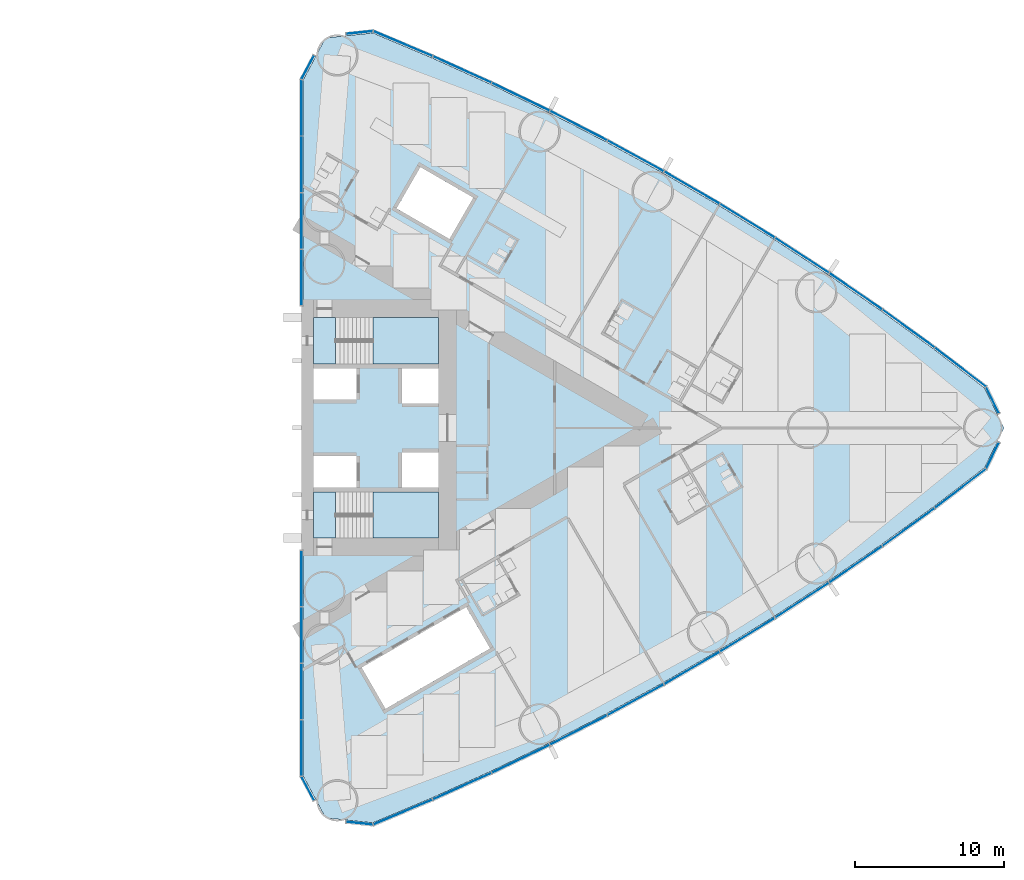
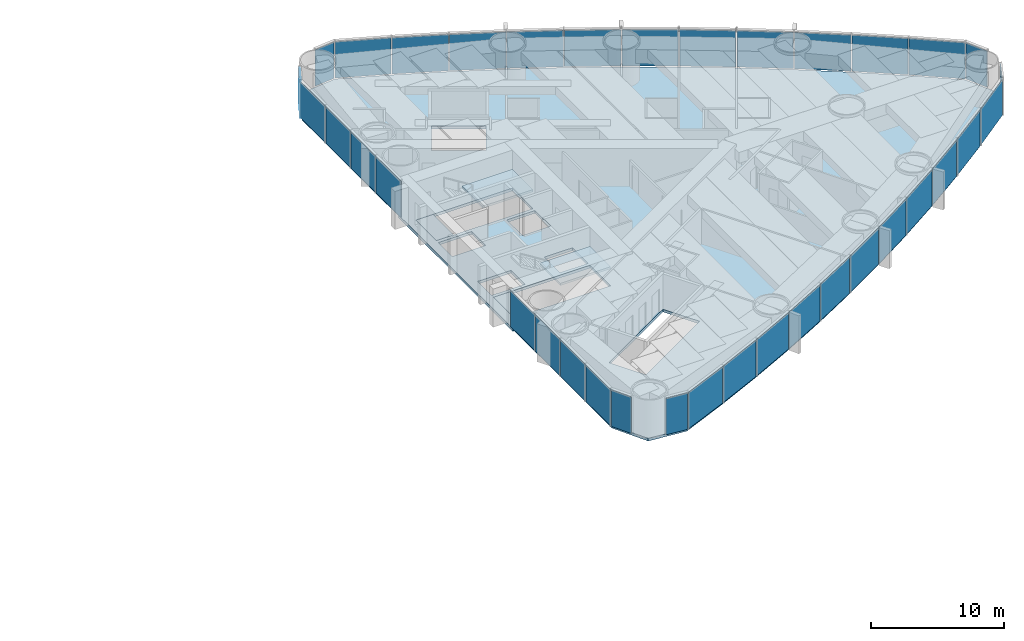
# One storey, part 10 of 19: 36 plates, 5 slabs, 6 elements without a shape of their own.
"""IFC4 building model written with IfcOpenShell, lengths in metres."""

from ifc_helpers import new_model, si_unit, direction, frame, origin, origin_2d, place, context, subcontext, project, spatial, polyline, rectangle, outline, extrude, material, layer, layer_set, type_object, element, aggregate, save


model = new_model("IFC4")

# Units and contexts
model_context = context("Model", 3, precision=1e-05, world=origin(), true_north=direction((0.0, 1.0)))
body_context = subcontext(model_context, "Body", "Model", "MODEL_VIEW")
ifc_project = project(units=[si_unit("LENGTHUNIT", "METRE"), si_unit("AREAUNIT", "SQUARE_METRE"), si_unit("VOLUMEUNIT", "CUBIC_METRE"), si_unit("PLANEANGLEUNIT", "RADIAN"), si_unit("MASSUNIT", "GRAM", prefix="KILO")], contexts=[model_context])

# Site, building, storey
site_placement = place(None, origin())
site = spatial("IfcSite", under=ifc_project, at=site_placement, CompositionType="ELEMENT")
building_placement = place(site_placement, origin())
building = spatial("IfcBuilding", under=site, at=building_placement, Name="Lancet Gate Hotel", CompositionType="ELEMENT")
storey_placement = place(building_placement, frame((0.0, 0.0, 21.5)))
storey = spatial("IfcBuildingStorey", under=building, at=storey_placement, Name="L04", CompositionType="ELEMENT", Elevation=21.5)

# Slab
ifc_material_1 = material(Name="Concrete C50/60", Category="concrete")
ifc_layer_1 = layer(ifc_material_1, 0.25)
ifc_layer_set_1 = layer_set([ifc_layer_1], Name="Floor slab 250")
slab_type_1 = type_object("IfcSlabType", Name="Floor slab 250", PredefinedType="FLOOR", material=ifc_layer_set_1)
slab_1_placement = place(storey_placement, frame((0.0, 0.0, -0.25)))
element("IfcSlab", 1, at=slab_1_placement, inside=storey, type_object=slab_type_1, Name="T2 L04 floor slab", PredefinedType="FLOOR", context=body_context, shape_type="SweptSolid", body=[
    extrude(outline(polyline([(27.5, -8.60009765625), (27.6201171875, -8.60009765625), (27.6201171875, -23.35498046875), (29.12158203125, -26.175537109375), (32.299072265625, -26.5048828125), (36.26708984375, -24.833740234375), (40.2177734375, -23.050048828125), (44.121826171875, -21.16650390625), (47.9765625, -19.18408203125), (51.77978515625, -17.104248046875), (55.528564453125, -14.92822265625), (59.220947265625, -12.657470703125), (62.854248046875, -10.29345703125), (66.42626953125, -7.837890625), (69.934814453125, -5.292236328125), (73.355712890625, -2.67431640625), (74.65576171875, 0.0), (73.355712890625, 2.67431640625), (69.934814453125, 5.292236328125), (66.42626953125, 7.837890625), (62.854248046875, 10.29345703125), (59.220947265625, 12.657470703125), (55.528564453125, 14.92822265625), (51.77978515625, 17.104248046875), (47.9765625, 19.18408203125), (44.121826171875, 21.16650390625), (40.2177734375, 23.050048828125), (36.26708984375, 24.833740234375), (32.299072265625, 26.5048828125), (29.12158203125, 26.175537109375), (27.6201171875, 23.35498046875), (27.6201171875, 8.60009765625), (27.5, 8.60009765625), (27.5, 8.199951171875), (27.5, -8.199951171875), (27.5, -8.60009765625)]), holes=[polyline([(36.699951171875, -7.39990234375), (36.699951171875, -4.300048828125), (28.300048828125, -4.300048828125), (28.300048828125, -7.39990234375), (36.699951171875, -7.39990234375)]), polyline([(28.300048828125, -4.0), (31.199951171875, -4.0), (31.199951171875, -1.89990234375), (28.300048828125, -1.89990234375), (28.300048828125, -4.0)]), polyline([(34.25, -4.0), (36.699951171875, -4.0), (36.699951171875, -1.64990234375), (34.25, -1.64990234375), (34.25, -4.0)]), polyline([(36.699951171875, 1.64990234375), (36.699951171875, 4.0), (34.25, 4.0), (34.25, 1.64990234375), (36.699951171875, 1.64990234375)]), polyline([(28.300048828125, 1.89990234375), (31.199951171875, 1.89990234375), (31.199951171875, 4.0), (28.300048828125, 4.0), (28.300048828125, 1.89990234375)]), polyline([(28.300048828125, 4.300048828125), (36.699951171875, 4.300048828125), (36.699951171875, 7.39990234375), (28.300048828125, 7.39990234375), (28.300048828125, 4.300048828125)]), polyline([(31.549072265625, -16.0810546875), (33.14892578125, -18.85205078125), (40.1640625, -14.802001953125), (38.56396484375, -12.031005859375), (31.549072265625, -16.0810546875)]), polyline([(33.887939453125, 14.73095703125), (37.43798828125, 12.680908203125), (39.0380859375, 15.451904296875), (35.488037109375, 17.501953125), (33.887939453125, 14.73095703125)])]), origin(), (0.0, 0.0, 1.0), 0.25),
])

# Stair, slabs
ifc_material_2 = material(Name="Exit stair 20 risers 1500")
stair_type = type_object("IfcStairType", Name="Exit stair 20 risers 1500", PredefinedType="HALF_TURN_STAIR", material=ifc_material_2)
stair_1_placement = place(storey_placement, origin())
stair_1 = element("IfcStair", 2, at=stair_1_placement, inside=storey, type_object=stair_type, Name="T2 stair 1 L04", PredefinedType="HALF_TURN_STAIR")
ifc_material_3 = material(Name="Concrete C40/50", Category="concrete")
ifc_layer_2 = layer(ifc_material_3, 0.199951171875)
ifc_layer_set_2 = layer_set([ifc_layer_2], Name="Stair landing 200")
slab_type_2 = type_object("IfcSlabType", Name="Stair landing 200", PredefinedType="LANDING", material=ifc_layer_set_2)
slab_2_placement = place(storey_placement, frame((0.0, 0.0, -0.199951171875)))
slab_2 = element("IfcSlab", 3, at=slab_2_placement, type_object=slab_type_2, Name="ST3 landing 1", PredefinedType="LANDING", context=body_context, shape_type="SweptSolid", body=[
    extrude(outline(polyline([(28.300048828125, -7.39990234375), (29.800048828125, -7.39990234375), (29.800048828125, -4.300048828125), (28.300048828125, -4.300048828125), (28.300048828125, -7.39990234375)])), origin(), (0.0, 0.0, 1.0), 0.199951171875),
])
slab_3_placement = place(storey_placement, frame((0.0, 0.0, 1.550048828125)))
slab_3 = element("IfcSlab", 4, at=slab_3_placement, type_object=slab_type_2, Name="ST3 landing 2", PredefinedType="LANDING", context=body_context, shape_type="SweptSolid", body=[
    extrude(outline(polyline([(32.320068359375, -7.39990234375), (36.699951171875, -7.39990234375), (36.699951171875, -4.300048828125), (32.320068359375, -4.300048828125), (32.320068359375, -7.39990234375)])), origin(), (0.0, 0.0, 1.0), 0.199951171875),
])
aggregate(stair_1, [slab_2, slab_3])

stair_2_placement = place(storey_placement, origin())
stair_2 = element("IfcStair", 5, at=stair_2_placement, inside=storey, type_object=stair_type, Name="T2 stair 2 L04", PredefinedType="HALF_TURN_STAIR")
slab_4_placement = place(storey_placement, frame((0.0, 0.0, -0.199951171875)))
slab_4 = element("IfcSlab", 6, at=slab_4_placement, type_object=slab_type_2, Name="ST4 landing 1", PredefinedType="LANDING", context=body_context, shape_type="SweptSolid", body=[
    extrude(outline(polyline([(28.300048828125, 4.300048828125), (29.800048828125, 4.300048828125), (29.800048828125, 7.39990234375), (28.300048828125, 7.39990234375), (28.300048828125, 4.300048828125)])), origin(), (0.0, 0.0, 1.0), 0.199951171875),
])
slab_5_placement = place(storey_placement, frame((0.0, 0.0, 1.550048828125)))
slab_5 = element("IfcSlab", 7, at=slab_5_placement, type_object=slab_type_2, Name="ST4 landing 2", PredefinedType="LANDING", context=body_context, shape_type="SweptSolid", body=[
    extrude(outline(polyline([(32.320068359375, 4.300048828125), (36.699951171875, 4.300048828125), (36.699951171875, 7.39990234375), (32.320068359375, 7.39990234375), (32.320068359375, 4.300048828125)])), origin(), (0.0, 0.0, 1.0), 0.199951171875),
])
aggregate(stair_2, [slab_4, slab_5])

# Curtain wall, plates
ifc_material_4 = material(Name="Aluminium curtain wall", Category="aluminium")
curtain_wall_type = type_object("IfcCurtainWallType", Name="Tower unitised curtain wall", PredefinedType="USERDEFINED", material=ifc_material_4)
curtain_wall_1_placement = place(storey_placement, origin())
curtain_wall_1 = element("IfcCurtainWall", 8, at=curtain_wall_1_placement, inside=storey, type_object=curtain_wall_type, Name="T2 L04 curtain wall 1", ObjectType="UNITISED CURTAIN WALL", PredefinedType="USERDEFINED")
ifc_material_5 = material(Name="Glass double glazed unit 8-16-6", Category="glass")
ifc_layer_3 = layer(ifc_material_5, 0.030029296875)
ifc_layer_set_3 = layer_set([ifc_layer_3], Name="Vision panel double glazed")
plate_type = type_object("IfcPlateType", Name="Vision panel double glazed", PredefinedType="CURTAIN_PANEL", material=ifc_layer_set_3)
plate_1_placement = place(storey_placement, frame((27.5, -10.09814453125, 0.0), z_axis=(0.0, 0.0, 1.0), x_axis=(0.0, -1.0, 0.0)))
plate_1 = element("IfcPlate", 9, at=plate_1_placement, type_object=plate_type, Name="T2 L04 curtain wall 1 panel 1", PredefinedType="CURTAIN_PANEL", context=body_context, shape_type="SweptSolid", body=[
    extrude(rectangle(XDim=3.731201171875, YDim=0.030029296875, at=origin_2d()), origin(), (0.0, 0.0, 1.0), 3.35009765625),
])
plate_2_placement = place(storey_placement, frame((27.5, -13.894287109375, 0.0), z_axis=(0.0, 0.0, 1.0), x_axis=(0.0, -1.0, 0.0)))
plate_2 = element("IfcPlate", 10, at=plate_2_placement, type_object=plate_type, Name="T2 L04 curtain wall 1 panel 2", PredefinedType="CURTAIN_PANEL", context=body_context, shape_type="SweptSolid", body=[
    extrude(rectangle(XDim=3.731201171875, YDim=0.030029296875, at=origin_2d()), origin(), (0.0, 0.0, 1.0), 3.35009765625),
])
plate_3_placement = place(storey_placement, frame((27.5, -17.6904296875, 0.0), z_axis=(0.0, 0.0, 1.0), x_axis=(0.0, -1.0, 0.0)))
plate_3 = element("IfcPlate", 11, at=plate_3_placement, type_object=plate_type, Name="T2 L04 curtain wall 1 panel 3", PredefinedType="CURTAIN_PANEL", context=body_context, shape_type="SweptSolid", body=[
    extrude(rectangle(XDim=3.731201171875, YDim=0.030029296875, at=origin_2d()), origin(), (0.0, 0.0, 1.0), 3.35009765625),
])
plate_4_placement = place(storey_placement, frame((27.5, -21.48681640625, 0.0), z_axis=(0.0, 0.0, 1.0), x_axis=(0.0, -1.0, 0.0)))
plate_4 = element("IfcPlate", 12, at=plate_4_placement, type_object=plate_type, Name="T2 L04 curtain wall 1 panel 4", PredefinedType="CURTAIN_PANEL", context=body_context, shape_type="SweptSolid", body=[
    extrude(rectangle(XDim=3.731201171875, YDim=0.030029296875, at=origin_2d()), origin(), (0.0, 0.0, 1.0), 3.35009765625),
])
plate_5_placement = place(storey_placement, frame((27.933349609375, -24.19873046875, 0.0), z_axis=(0.0, 0.0, 1.0), x_axis=(0.469897827284, -0.882720811987, 0.0)))
plate_5 = element("IfcPlate", 13, at=plate_5_placement, type_object=plate_type, Name="T2 L04 curtain wall 1 panel 5", PredefinedType="CURTAIN_PANEL", context=body_context, shape_type="SweptSolid", body=[
    extrude(rectangle(XDim=1.779052734375, YDim=0.030029296875, at=origin_2d()), origin(), (0.0, 0.0, 1.0), 3.35009765625),
])
aggregate(curtain_wall_1, [plate_1, plate_2, plate_3, plate_4, plate_5])

curtain_wall_2_placement = place(storey_placement, origin())
curtain_wall_2 = element("IfcCurtainWall", 14, at=curtain_wall_2_placement, inside=storey, type_object=curtain_wall_type, Name="T2 L04 curtain wall 2", ObjectType="UNITISED CURTAIN WALL", PredefinedType="USERDEFINED")
plate_6_placement = place(storey_placement, frame((31.400634765625, -26.532470703125, 0.0), z_axis=(0.0, 0.0, 1.0), x_axis=(0.994672262412, -0.10308778001, 0.0)))
plate_6 = element("IfcPlate", 15, at=plate_6_placement, type_object=plate_type, Name="T2 L04 curtain wall 2 panel 1", PredefinedType="CURTAIN_PANEL", context=body_context, shape_type="SweptSolid", body=[
    extrude(rectangle(XDim=1.7783203125, YDim=0.030029296875, at=origin_2d()), origin(), (0.0, 0.0, 1.0), 3.35009765625),
])
plate_7_placement = place(storey_placement, frame((34.316162109375, -25.78564453125, 0.0), z_axis=(0.0, 0.0, 1.0), x_axis=(0.92159330598, 0.38815689917, 0.0)))
plate_7 = element("IfcPlate", 16, at=plate_7_placement, type_object=plate_type, Name="T2 L04 curtain wall 2 panel 2", PredefinedType="CURTAIN_PANEL", context=body_context, shape_type="SweptSolid", body=[
    extrude(rectangle(XDim=4.272705078125, YDim=0.030029296875, at=origin_2d()), origin(), (0.0, 0.0, 1.0), 3.35009765625),
])
plate_8_placement = place(storey_placement, frame((38.291748046875, -24.05126953125, 0.0), z_axis=(0.0, 0.0, 1.0), x_axis=(0.911415640556, 0.41148697446, 0.0)))
plate_8 = element("IfcPlate", 17, at=plate_8_placement, type_object=plate_type, Name="T2 L04 curtain wall 2 panel 3", PredefinedType="CURTAIN_PANEL", context=body_context, shape_type="SweptSolid", body=[
    extrude(rectangle(XDim=4.272705078125, YDim=0.030029296875, at=origin_2d()), origin(), (0.0, 0.0, 1.0), 3.35009765625),
])
plate_9_placement = place(storey_placement, frame((42.221923828125, -22.21630859375, 0.0), z_axis=(0.0, 0.0, 1.0), x_axis=(0.90064748964, 0.434550456686, 0.0)))
plate_9 = element("IfcPlate", 18, at=plate_9_placement, type_object=plate_type, Name="T2 L04 curtain wall 2 panel 4", PredefinedType="CURTAIN_PANEL", context=body_context, shape_type="SweptSolid", body=[
    extrude(rectangle(XDim=4.272705078125, YDim=0.030029296875, at=origin_2d()), origin(), (0.0, 0.0, 1.0), 3.35009765625),
])
plate_10_placement = place(storey_placement, frame((46.10400390625, -20.281982421875, 0.0), z_axis=(0.0, 0.0, 1.0), x_axis=(0.889295829671, 0.457332403541, 0.0)))
plate_10 = element("IfcPlate", 19, at=plate_10_placement, type_object=plate_type, Name="T2 L04 curtain wall 2 panel 5", PredefinedType="CURTAIN_PANEL", context=body_context, shape_type="SweptSolid", body=[
    extrude(rectangle(XDim=4.272705078125, YDim=0.030029296875, at=origin_2d()), origin(), (0.0, 0.0, 1.0), 3.35009765625),
])
plate_11_placement = place(storey_placement, frame((49.935791015625, -18.249267578125, 0.0), z_axis=(0.0, 0.0, 1.0), x_axis=(0.877368015134, 0.47981805512, 0.0)))
plate_11 = element("IfcPlate", 20, at=plate_11_placement, type_object=plate_type, Name="T2 L04 curtain wall 2 panel 6", PredefinedType="CURTAIN_PANEL", context=body_context, shape_type="SweptSolid", body=[
    extrude(rectangle(XDim=4.272705078125, YDim=0.030029296875, at=origin_2d()), origin(), (0.0, 0.0, 1.0), 3.35009765625),
])
plate_12_placement = place(storey_placement, frame((53.71435546875, -16.119873046875, 0.0), z_axis=(0.0, 0.0, 1.0), x_axis=(0.864871773788, 0.501992843479, 0.0)))
plate_12 = element("IfcPlate", 21, at=plate_12_placement, type_object=plate_type, Name="T2 L04 curtain wall 2 panel 7", PredefinedType="CURTAIN_PANEL", context=body_context, shape_type="SweptSolid", body=[
    extrude(rectangle(XDim=4.272705078125, YDim=0.030029296875, at=origin_2d()), origin(), (0.0, 0.0, 1.0), 3.35009765625),
])
plate_13_placement = place(storey_placement, frame((57.437744140625, -13.89501953125, 0.0), z_axis=(0.0, 0.0, 1.0), x_axis=(0.851815201664, 0.523842402077, 0.0)))
plate_13 = element("IfcPlate", 22, at=plate_13_placement, type_object=plate_type, Name="T2 L04 curtain wall 2 panel 8", PredefinedType="CURTAIN_PANEL", context=body_context, shape_type="SweptSolid", body=[
    extrude(rectangle(XDim=4.272705078125, YDim=0.030029296875, at=origin_2d()), origin(), (0.0, 0.0, 1.0), 3.35009765625),
])
plate_14_placement = place(storey_placement, frame((61.10302734375, -11.576171875, 0.0), z_axis=(0.0, 0.0, 1.0), x_axis=(0.838206757819, 0.54535257508, 0.0)))
plate_14 = element("IfcPlate", 23, at=plate_14_placement, type_object=plate_type, Name="T2 L04 curtain wall 2 panel 9", PredefinedType="CURTAIN_PANEL", context=body_context, shape_type="SweptSolid", body=[
    extrude(rectangle(XDim=4.272705078125, YDim=0.030029296875, at=origin_2d()), origin(), (0.0, 0.0, 1.0), 3.35009765625),
])
plate_15_placement = place(storey_placement, frame((64.708251953125, -9.16455078125, 0.0), z_axis=(0.0, 0.0, 1.0), x_axis=(0.824055258853, 0.566509426538, 0.0)))
plate_15 = element("IfcPlate", 24, at=plate_15_placement, type_object=plate_type, Name="T2 L04 curtain wall 2 panel 10", PredefinedType="CURTAIN_PANEL", context=body_context, shape_type="SweptSolid", body=[
    extrude(rectangle(XDim=4.272705078125, YDim=0.030029296875, at=origin_2d()), origin(), (0.0, 0.0, 1.0), 3.35009765625),
])
plate_16_placement = place(storey_placement, frame((68.2509765625, -6.662109375, 0.0), z_axis=(0.0, 0.0, 1.0), x_axis=(0.809369873203, 0.587299249405, 0.0)))
plate_16 = element("IfcPlate", 25, at=plate_16_placement, type_object=plate_type, Name="T2 L04 curtain wall 2 panel 11", PredefinedType="CURTAIN_PANEL", context=body_context, shape_type="SweptSolid", body=[
    extrude(rectangle(XDim=4.272705078125, YDim=0.030029296875, at=origin_2d()), origin(), (0.0, 0.0, 1.0), 3.35009765625),
])
plate_17_placement = place(storey_placement, frame((71.72900390625, -4.0703125, 0.0), z_axis=(0.0, 0.0, 1.0), x_axis=(0.794160115195, 0.607708574428, 0.0)))
plate_17 = element("IfcPlate", 26, at=plate_17_placement, type_object=plate_type, Name="T2 L04 curtain wall 2 panel 12", PredefinedType="CURTAIN_PANEL", context=body_context, shape_type="SweptSolid", body=[
    extrude(rectangle(XDim=4.272705078125, YDim=0.030029296875, at=origin_2d()), origin(), (0.0, 0.0, 1.0), 3.35009765625),
])
plate_18_placement = place(storey_placement, frame((73.88671875, -1.856201171875, 0.0), z_axis=(0.0, 0.0, 1.0), x_axis=(0.437169070119, 0.899379343843, 0.0)))
plate_18 = element("IfcPlate", 27, at=plate_18_placement, type_object=plate_type, Name="T2 L04 curtain wall 2 panel 13", PredefinedType="CURTAIN_PANEL", context=body_context, shape_type="SweptSolid", body=[
    extrude(rectangle(XDim=1.92724609375, YDim=0.030029296875, at=origin_2d()), origin(), (0.0, 0.0, 1.0), 3.35009765625),
])
aggregate(curtain_wall_2, [plate_6, plate_7, plate_8, plate_9, plate_10, plate_11, plate_12, plate_13, plate_14, plate_15, plate_16, plate_17, plate_18])

curtain_wall_3_placement = place(storey_placement, origin())
curtain_wall_3 = element("IfcCurtainWall", 28, at=curtain_wall_3_placement, inside=storey, type_object=curtain_wall_type, Name="T2 L04 curtain wall 3", ObjectType="UNITISED CURTAIN WALL", PredefinedType="USERDEFINED")
plate_19_placement = place(storey_placement, frame((73.88671875, 1.856201171875, 0.0), z_axis=(0.0, 0.0, 1.0), x_axis=(-0.437169070119, 0.899379343843, 0.0)))
plate_19 = element("IfcPlate", 29, at=plate_19_placement, type_object=plate_type, Name="T2 L04 curtain wall 3 panel 1", PredefinedType="CURTAIN_PANEL", context=body_context, shape_type="SweptSolid", body=[
    extrude(rectangle(XDim=1.92724609375, YDim=0.030029296875, at=origin_2d()), origin(), (0.0, 0.0, 1.0), 3.35009765625),
])
plate_20_placement = place(storey_placement, frame((71.72900390625, 4.0703125, 0.0), z_axis=(0.0, 0.0, 1.0), x_axis=(-0.794160115195, 0.607708574428, 0.0)))
plate_20 = element("IfcPlate", 30, at=plate_20_placement, type_object=plate_type, Name="T2 L04 curtain wall 3 panel 2", PredefinedType="CURTAIN_PANEL", context=body_context, shape_type="SweptSolid", body=[
    extrude(rectangle(XDim=4.272705078125, YDim=0.030029296875, at=origin_2d()), origin(), (0.0, 0.0, 1.0), 3.35009765625),
])
plate_21_placement = place(storey_placement, frame((68.2509765625, 6.662109375, 0.0), z_axis=(0.0, 0.0, 1.0), x_axis=(-0.809369873203, 0.587299249405, 0.0)))
plate_21 = element("IfcPlate", 31, at=plate_21_placement, type_object=plate_type, Name="T2 L04 curtain wall 3 panel 3", PredefinedType="CURTAIN_PANEL", context=body_context, shape_type="SweptSolid", body=[
    extrude(rectangle(XDim=4.272705078125, YDim=0.030029296875, at=origin_2d()), origin(), (0.0, 0.0, 1.0), 3.35009765625),
])
plate_22_placement = place(storey_placement, frame((64.708251953125, 9.16455078125, 0.0), z_axis=(0.0, 0.0, 1.0), x_axis=(-0.824055258853, 0.566509426538, 0.0)))
plate_22 = element("IfcPlate", 32, at=plate_22_placement, type_object=plate_type, Name="T2 L04 curtain wall 3 panel 4", PredefinedType="CURTAIN_PANEL", context=body_context, shape_type="SweptSolid", body=[
    extrude(rectangle(XDim=4.272705078125, YDim=0.030029296875, at=origin_2d()), origin(), (0.0, 0.0, 1.0), 3.35009765625),
])
plate_23_placement = place(storey_placement, frame((61.10302734375, 11.576171875, 0.0), z_axis=(0.0, 0.0, 1.0), x_axis=(-0.838206757819, 0.54535257508, 0.0)))
plate_23 = element("IfcPlate", 33, at=plate_23_placement, type_object=plate_type, Name="T2 L04 curtain wall 3 panel 5", PredefinedType="CURTAIN_PANEL", context=body_context, shape_type="SweptSolid", body=[
    extrude(rectangle(XDim=4.272705078125, YDim=0.030029296875, at=origin_2d()), origin(), (0.0, 0.0, 1.0), 3.35009765625),
])
plate_24_placement = place(storey_placement, frame((57.437744140625, 13.89501953125, 0.0), z_axis=(0.0, 0.0, 1.0), x_axis=(-0.851815201664, 0.523842402077, 0.0)))
plate_24 = element("IfcPlate", 34, at=plate_24_placement, type_object=plate_type, Name="T2 L04 curtain wall 3 panel 6", PredefinedType="CURTAIN_PANEL", context=body_context, shape_type="SweptSolid", body=[
    extrude(rectangle(XDim=4.272705078125, YDim=0.030029296875, at=origin_2d()), origin(), (0.0, 0.0, 1.0), 3.35009765625),
])
plate_25_placement = place(storey_placement, frame((53.71435546875, 16.119873046875, 0.0), z_axis=(0.0, 0.0, 1.0), x_axis=(-0.864871773788, 0.501992843479, 0.0)))
plate_25 = element("IfcPlate", 35, at=plate_25_placement, type_object=plate_type, Name="T2 L04 curtain wall 3 panel 7", PredefinedType="CURTAIN_PANEL", context=body_context, shape_type="SweptSolid", body=[
    extrude(rectangle(XDim=4.272705078125, YDim=0.030029296875, at=origin_2d()), origin(), (0.0, 0.0, 1.0), 3.35009765625),
])
plate_26_placement = place(storey_placement, frame((49.935791015625, 18.249267578125, 0.0), z_axis=(0.0, 0.0, 1.0), x_axis=(-0.877368015134, 0.47981805512, 0.0)))
plate_26 = element("IfcPlate", 36, at=plate_26_placement, type_object=plate_type, Name="T2 L04 curtain wall 3 panel 8", PredefinedType="CURTAIN_PANEL", context=body_context, shape_type="SweptSolid", body=[
    extrude(rectangle(XDim=4.272705078125, YDim=0.030029296875, at=origin_2d()), origin(), (0.0, 0.0, 1.0), 3.35009765625),
])
plate_27_placement = place(storey_placement, frame((46.10400390625, 20.281982421875, 0.0), z_axis=(0.0, 0.0, 1.0), x_axis=(-0.889295829671, 0.457332403541, 0.0)))
plate_27 = element("IfcPlate", 37, at=plate_27_placement, type_object=plate_type, Name="T2 L04 curtain wall 3 panel 9", PredefinedType="CURTAIN_PANEL", context=body_context, shape_type="SweptSolid", body=[
    extrude(rectangle(XDim=4.272705078125, YDim=0.030029296875, at=origin_2d()), origin(), (0.0, 0.0, 1.0), 3.35009765625),
])
plate_28_placement = place(storey_placement, frame((42.221923828125, 22.21630859375, 0.0), z_axis=(0.0, 0.0, 1.0), x_axis=(-0.90064748964, 0.434550456686, 0.0)))
plate_28 = element("IfcPlate", 38, at=plate_28_placement, type_object=plate_type, Name="T2 L04 curtain wall 3 panel 10", PredefinedType="CURTAIN_PANEL", context=body_context, shape_type="SweptSolid", body=[
    extrude(rectangle(XDim=4.272705078125, YDim=0.030029296875, at=origin_2d()), origin(), (0.0, 0.0, 1.0), 3.35009765625),
])
plate_29_placement = place(storey_placement, frame((38.291748046875, 24.05126953125, 0.0), z_axis=(0.0, 0.0, 1.0), x_axis=(-0.911415640556, 0.41148697446, 0.0)))
plate_29 = element("IfcPlate", 39, at=plate_29_placement, type_object=plate_type, Name="T2 L04 curtain wall 3 panel 11", PredefinedType="CURTAIN_PANEL", context=body_context, shape_type="SweptSolid", body=[
    extrude(rectangle(XDim=4.272705078125, YDim=0.030029296875, at=origin_2d()), origin(), (0.0, 0.0, 1.0), 3.35009765625),
])
plate_30_placement = place(storey_placement, frame((34.316162109375, 25.78564453125, 0.0), z_axis=(0.0, 0.0, 1.0), x_axis=(-0.92159330598, 0.38815689917, 0.0)))
plate_30 = element("IfcPlate", 40, at=plate_30_placement, type_object=plate_type, Name="T2 L04 curtain wall 3 panel 12", PredefinedType="CURTAIN_PANEL", context=body_context, shape_type="SweptSolid", body=[
    extrude(rectangle(XDim=4.272705078125, YDim=0.030029296875, at=origin_2d()), origin(), (0.0, 0.0, 1.0), 3.35009765625),
])
plate_31_placement = place(storey_placement, frame((31.400634765625, 26.532470703125, 0.0), z_axis=(0.0, 0.0, 1.0), x_axis=(-0.994672262412, -0.10308778001, 0.0)))
plate_31 = element("IfcPlate", 41, at=plate_31_placement, type_object=plate_type, Name="T2 L04 curtain wall 3 panel 13", PredefinedType="CURTAIN_PANEL", context=body_context, shape_type="SweptSolid", body=[
    extrude(rectangle(XDim=1.7783203125, YDim=0.030029296875, at=origin_2d()), origin(), (0.0, 0.0, 1.0), 3.35009765625),
])
aggregate(curtain_wall_3, [plate_19, plate_20, plate_21, plate_22, plate_23, plate_24, plate_25, plate_26, plate_27, plate_28, plate_29, plate_30, plate_31])

curtain_wall_4_placement = place(storey_placement, origin())
curtain_wall_4 = element("IfcCurtainWall", 42, at=curtain_wall_4_placement, inside=storey, type_object=curtain_wall_type, Name="T2 L04 curtain wall 4", ObjectType="UNITISED CURTAIN WALL", PredefinedType="USERDEFINED")
plate_32_placement = place(storey_placement, frame((27.933349609375, 24.19873046875, 0.0), z_axis=(0.0, 0.0, 1.0), x_axis=(-0.469897827284, -0.882720811987, 0.0)))
plate_32 = element("IfcPlate", 43, at=plate_32_placement, type_object=plate_type, Name="T2 L04 curtain wall 4 panel 1", PredefinedType="CURTAIN_PANEL", context=body_context, shape_type="SweptSolid", body=[
    extrude(rectangle(XDim=1.779052734375, YDim=0.030029296875, at=origin_2d()), origin(), (0.0, 0.0, 1.0), 3.35009765625),
])
plate_33_placement = place(storey_placement, frame((27.5, 21.48681640625, 0.0), z_axis=(0.0, 0.0, 1.0), x_axis=(0.0, -1.0, 0.0)))
plate_33 = element("IfcPlate", 44, at=plate_33_placement, type_object=plate_type, Name="T2 L04 curtain wall 4 panel 2", PredefinedType="CURTAIN_PANEL", context=body_context, shape_type="SweptSolid", body=[
    extrude(rectangle(XDim=3.731201171875, YDim=0.030029296875, at=origin_2d()), origin(), (0.0, 0.0, 1.0), 3.35009765625),
])
plate_34_placement = place(storey_placement, frame((27.5, 17.6904296875, 0.0), z_axis=(0.0, 0.0, 1.0), x_axis=(0.0, -1.0, 0.0)))
plate_34 = element("IfcPlate", 45, at=plate_34_placement, type_object=plate_type, Name="T2 L04 curtain wall 4 panel 3", PredefinedType="CURTAIN_PANEL", context=body_context, shape_type="SweptSolid", body=[
    extrude(rectangle(XDim=3.731201171875, YDim=0.030029296875, at=origin_2d()), origin(), (0.0, 0.0, 1.0), 3.35009765625),
])
plate_35_placement = place(storey_placement, frame((27.5, 13.894287109375, 0.0), z_axis=(0.0, 0.0, 1.0), x_axis=(0.0, -1.0, 0.0)))
plate_35 = element("IfcPlate", 46, at=plate_35_placement, type_object=plate_type, Name="T2 L04 curtain wall 4 panel 4", PredefinedType="CURTAIN_PANEL", context=body_context, shape_type="SweptSolid", body=[
    extrude(rectangle(XDim=3.731201171875, YDim=0.030029296875, at=origin_2d()), origin(), (0.0, 0.0, 1.0), 3.35009765625),
])
plate_36_placement = place(storey_placement, frame((27.5, 10.09814453125, 0.0), z_axis=(0.0, 0.0, 1.0), x_axis=(0.0, -1.0, 0.0)))
plate_36 = element("IfcPlate", 47, at=plate_36_placement, type_object=plate_type, Name="T2 L04 curtain wall 4 panel 5", PredefinedType="CURTAIN_PANEL", context=body_context, shape_type="SweptSolid", body=[
    extrude(rectangle(XDim=3.731201171875, YDim=0.030029296875, at=origin_2d()), origin(), (0.0, 0.0, 1.0), 3.35009765625),
])
aggregate(curtain_wall_4, [plate_32, plate_33, plate_34, plate_35, plate_36])

save(model, "model.ifc")
